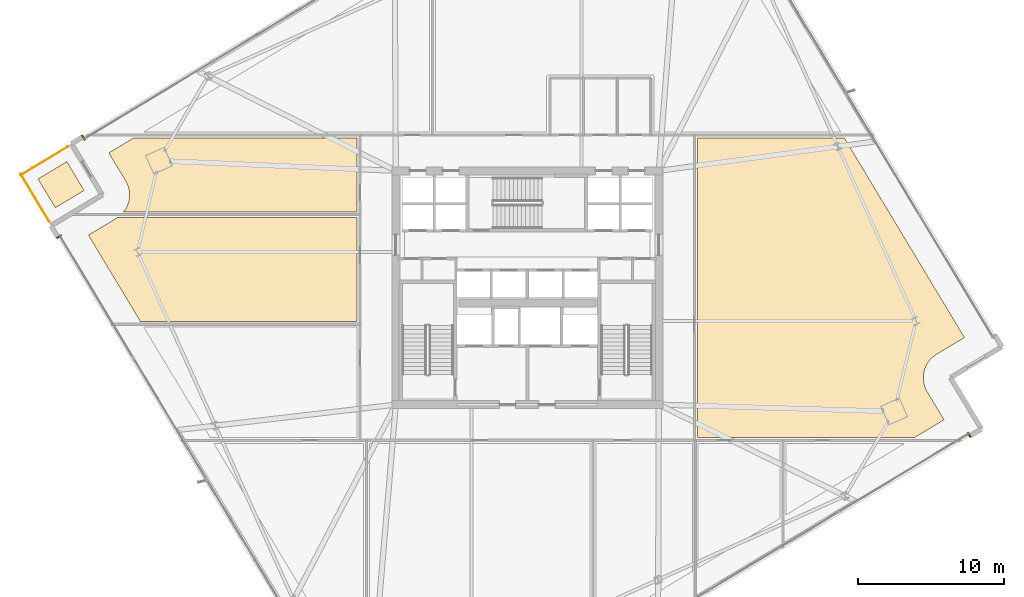
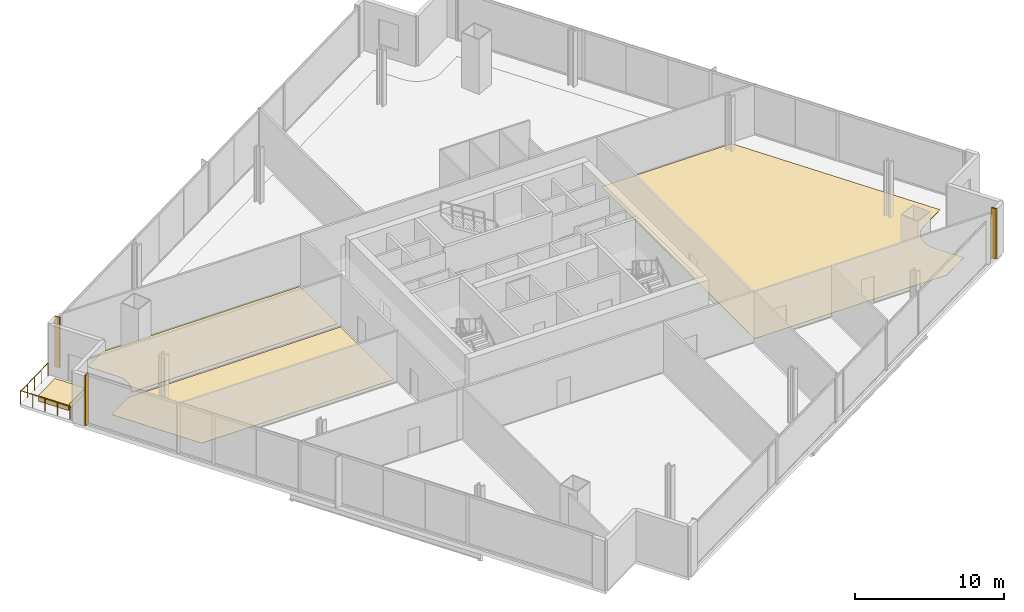
# One storey, part 28 of 30: 7 coverings, 2 railings.
"""IFC4 building model written with IfcOpenShell, lengths in metres."""

from ifc_helpers import new_model, si_unit, direction, frame, origin, origin_2d, place, context, subcontext, project, spatial, polyline, rectangle, outline, extrude, source, transform, mapped, material, layer, layer_set, type_object, element, save


model = new_model("IFC4")

# Units and contexts
model_context = context("Model", 3, precision=1e-05, world=origin(), true_north=direction((0.0, 1.0)))
body_context = subcontext(model_context, "Body", "Model", "MODEL_VIEW")
ifc_project = project(units=[si_unit("LENGTHUNIT", "METRE"), si_unit("AREAUNIT", "SQUARE_METRE"), si_unit("VOLUMEUNIT", "CUBIC_METRE"), si_unit("PLANEANGLEUNIT", "RADIAN"), si_unit("MASSUNIT", "GRAM", prefix="KILO")], contexts=[model_context])

# Site, building, storey
site_placement = place(None, origin())
site = spatial("IfcSite", under=ifc_project, at=site_placement, CompositionType="ELEMENT")
building_placement = place(site_placement, origin())
building = spatial("IfcBuilding", under=site, at=building_placement, Name="Haldenkirk Collegiate Tower", CompositionType="ELEMENT")
storey_placement = place(building_placement, frame((0.0, 0.0, 131.699951171875)))
storey = spatial("IfcBuildingStorey", under=building, at=storey_placement, Name="L32", CompositionType="ELEMENT", Elevation=131.699951171875)

# Coverings
ifc_material_1 = material(Name="Polished collegiate terrazzo", Category="concrete")
ifc_layer_1 = layer(ifc_material_1, 0.02490234375)
ifc_layer_set_1 = layer_set([ifc_layer_1], Name="Polished collegiate terrazzo")
covering_type_1 = type_object("IfcCoveringType", Name="COV-FLOOR-TERRAZZO", PredefinedType="FLOORING", material=ifc_layer_set_1)
covering_1_placement = place(storey_placement, origin())
element("IfcCovering", 1, at=covering_1_placement, inside=storey, type_object=covering_type_1, Name="L32 academic room finish 10", PredefinedType="FLOORING", context=body_context, shape_type="SweptSolid", body=[
    extrude(outline(polyline([(8.374267578125, 31.199951171875), (8.40478515625, 31.237548828125), (8.411865234375, 31.246826171875), (8.5068359375, 31.389892578125), (8.512939453125, 31.400146484375), (8.593505859375, 31.5517578125), (8.598388671875, 31.562255859375), (8.6640625, 31.720947265625), (8.66796875, 31.732177734375), (8.717529296875, 31.896484375), (8.72021484375, 31.907958984375), (8.75341796875, 32.076416015625), (8.755126953125, 32.088134765625), (8.771728515625, 32.25927734375), (8.772216796875, 32.27099609375), (8.77197265625, 32.442626953125), (8.771240234375, 32.454345703125), (8.754150390625, 32.625244140625), (8.75244140625, 32.636962890625), (8.718505859375, 32.805419921875), (8.7158203125, 32.816650390625), (8.66552734375, 32.98095703125), (8.66162109375, 32.991943359375), (8.595458984375, 33.150390625), (8.59033203125, 33.1611328125), (8.50927734375, 33.3125), (8.50634765625, 33.317626953125), (7.356201171875, 35.228271484375), (9.05322265625, 36.25), (24.35009765625, 36.25), (24.35009765625, 31.199951171875), (8.374267578125, 31.199951171875)])), origin(), (0.0, 0.0, 1.0), 0.025146484375),
])
ifc_material_2 = material(Name="Engineered collegiate oak acoustic flooring", Category="wood")
ifc_layer_2 = layer(ifc_material_2, 0.02197265625)
ifc_layer_set_2 = layer_set([ifc_layer_2], Name="Engineered collegiate oak acoustic flooring")
covering_type_2 = type_object("IfcCoveringType", Name="COV-FLOOR-TIMBER", PredefinedType="FLOORING", material=ifc_layer_set_2)
covering_2_placement = place(storey_placement, origin())
element("IfcCovering", 2, at=covering_2_placement, inside=storey, type_object=covering_type_2, Name="L32 academic room finish 09", PredefinedType="FLOORING", context=body_context, shape_type="SweptSolid", body=[
    extrude(outline(polyline([(7.86865234375, 30.7509765625), (7.873779296875, 30.754150390625), (7.94189453125, 30.800048828125), (24.35009765625, 30.800048828125), (24.35009765625, 23.699951171875), (9.510986328125, 23.699951171875), (5.958251953125, 29.600830078125), (7.86865234375, 30.7509765625)])), origin(), (0.0, 0.0, 1.0), 0.02197265625),
])
covering_3_placement = place(storey_placement, origin())
element("IfcCovering", 3, at=covering_3_placement, inside=storey, type_object=covering_type_2, Name="L32 academic room finish 11", PredefinedType="FLOORING", context=body_context, shape_type="SweptSolid", body=[
    extrude(outline(polyline([(64.01513671875, 21.44189453125), (64.01025390625, 21.438720703125), (63.86767578125, 21.343017578125), (63.858154296875, 21.3359375), (63.7255859375, 21.226806640625), (63.716796875, 21.21875), (63.595703125, 21.09716796875), (63.587890625, 21.08837890625), (63.47900390625, 20.955322265625), (63.47216796875, 20.94580078125), (63.376953125, 20.802978515625), (63.370849609375, 20.792724609375), (63.290283203125, 20.64111328125), (63.285400390625, 20.630615234375), (63.219970703125, 20.4716796875), (63.2158203125, 20.460693359375), (63.16650390625, 20.296142578125), (63.16357421875, 20.284912109375), (63.13037109375, 20.1162109375), (63.128662109375, 20.1044921875), (63.1123046875, 19.93359375), (63.111572265625, 19.921875), (63.112060546875, 19.75), (63.112548828125, 19.738525390625), (63.129638671875, 19.567626953125), (63.131591796875, 19.555908203125), (63.165283203125, 19.387451171875), (63.168212890625, 19.376220703125), (63.218505859375, 19.2119140625), (63.222412109375, 19.20068359375), (63.288330078125, 19.042236328125), (63.29345703125, 19.03173828125), (63.374755859375, 18.88037109375), (63.377685546875, 18.875244140625), (64.52783203125, 16.964599609375), (62.51025390625, 15.75), (47.64990234375, 15.75), (47.64990234375, 36.25), (57.702880859375, 36.25), (65.925537109375, 22.591796875), (64.01513671875, 21.44189453125)])), origin(), (0.0, 0.0, 1.0), 0.02197265625),
])
ifc_material_3 = material(Name="Precast concrete f'c 40 MPa", Category="concrete")
ifc_layer_3 = layer(ifc_material_3, 0.449951171875)
ifc_layer_set_3 = layer_set([ifc_layer_3], Name="Precast concrete f'c 40 MPa")
covering_type_3 = type_object("IfcCoveringType", Name="COV-PLANTER-450", PredefinedType="USERDEFINED", material=ifc_layer_set_3)
covering_4_placement = place(storey_placement, origin())
element("IfcCovering", 4, at=covering_4_placement, inside=storey, type_object=covering_type_3, Name="L32 planted garden planter bed", ObjectType="PLANTER", PredefinedType="USERDEFINED", context=body_context, shape_type="SweptSolid", body=[
    extrude(outline(polyline([(3.698486328125, 31.4736328125), (2.51220703125, 33.444091796875), (4.482666015625, 34.63037109375), (5.6689453125, 32.659912109375), (3.698486328125, 31.4736328125)])), origin(), (0.0, 0.0, 1.0), 0.449951171875),
])

# Railings
ifc_material_4 = material(Name="Anodised architectural bronze aluminium", Category="aluminium")
railing_type = type_object("IfcRailingType", Name="RLG-TERR-BALUSTRADE-1100", PredefinedType="BALUSTRADE", material=ifc_material_4)
railing_1_placement = place(storey_placement, frame((4.54638671875, 35.649169921875, 0.0)))
element("IfcRailing", 5, at=railing_1_placement, inside=storey, type_object=railing_type, Name="L32 terrace guard balustrade 3-1", PredefinedType="BALUSTRADE", context=body_context, shape_type="SweptSolid", body=[
    extrude(rectangle(XDim=0.048095703125, YDim=0.048095703125, at=origin_2d()), frame((0.0, 0.0, 1.076171875), z_axis=(-0.856722643398, -0.515777386368, 0.0), x_axis=(0.515777386368, -0.856722643398, 0.0)), (0.0, 0.0, 1.0), 3.780029296875),
    extrude(rectangle(XDim=0.0419921875, YDim=0.0419921875, at=origin_2d()), origin(), (0.0, 0.0, 1.0), 1.052001953125),
    extrude(rectangle(XDim=0.0419921875, YDim=0.0419921875, at=origin_2d()), frame((-0.8095703125, -0.4873046875, 0.0)), (0.0, 0.0, 1.0), 1.052001953125),
    extrude(rectangle(XDim=0.0419921875, YDim=0.0419921875, at=origin_2d()), frame((-1.619140625, -0.974853515625, 0.0)), (0.0, 0.0, 1.0), 1.052001953125),
    extrude(rectangle(XDim=0.0419921875, YDim=0.0419921875, at=origin_2d()), frame((-2.428955078125, -1.46240234375, 0.0)), (0.0, 0.0, 1.0), 1.052001953125),
    extrude(rectangle(XDim=0.0419921875, YDim=0.0419921875, at=origin_2d()), frame((-3.238525390625, -1.94970703125, 0.0)), (0.0, 0.0, 1.0), 1.052001953125),
])
railing_2_placement = place(storey_placement, frame((1.328369140625, 33.78173828125, 0.0)))
element("IfcRailing", 6, at=railing_2_placement, inside=storey, type_object=railing_type, Name="L32 terrace guard balustrade 4-1", PredefinedType="BALUSTRADE", context=body_context, shape_type="SweptSolid", body=[
    extrude(rectangle(XDim=0.048095703125, YDim=0.048095703125, at=origin_2d()), frame((0.0, 0.0, 1.076171875), z_axis=(0.51580592645, -0.85670546061, 0.0), x_axis=(0.85670546061, 0.51580592645, 0.0)), (0.0, 0.0, 1.0), 3.780029296875),
    extrude(rectangle(XDim=0.0419921875, YDim=0.0419921875, at=origin_2d()), origin(), (0.0, 0.0, 1.0), 1.052001953125),
    extrude(rectangle(XDim=0.0419921875, YDim=0.0419921875, at=origin_2d()), frame((0.4873046875, -0.8095703125, 0.0)), (0.0, 0.0, 1.0), 1.052001953125),
    extrude(rectangle(XDim=0.0419921875, YDim=0.0419921875, at=origin_2d()), frame((0.974853515625, -1.619140625, 0.0)), (0.0, 0.0, 1.0), 1.052001953125),
    extrude(rectangle(XDim=0.0419921875, YDim=0.0419921875, at=origin_2d()), frame((1.46240234375, -2.4287109375, 0.0)), (0.0, 0.0, 1.0), 1.052001953125),
    extrude(rectangle(XDim=0.0419921875, YDim=0.0419921875, at=origin_2d()), frame((1.94970703125, -3.23828125, 0.0)), (0.0, 0.0, 1.0), 1.052001953125),
])

# Coverings
ifc_layer_4 = layer(ifc_material_4, 0.06005859375)
ifc_layer_set_4 = layer_set([ifc_layer_4], Name="Anodised architectural bronze aluminium")
covering_type_4 = type_object("IfcCoveringType", Name="COV-CLAD-BRONZE-60", PredefinedType="CLADDING", material=ifc_layer_set_4)
shared_shape = source(origin(), body_context, "Body", "SweptSolid", [
    extrude(rectangle(XDim=0.10009765625, YDim=0.3798828125, at=origin_2d()), origin(), (0.0, 0.0, 1.0), 4.10009765625),
])
for number, where, z_axis, x_axis, name in (
    (7, (66.251220703125, 15.924560546875, 0.0), (0.0, 0.0, 1.0), (-0.856717518865, -0.515785898285, 0.0), "L32 recessed curtain-wall bronze jamb closure SJL"),
    (8, (5.632568359375, 36.268310546875, 0.0), (0.0, 0.0, 1.0), (0.856717518865, 0.515785898285, 0.0), "L32 recessed curtain-wall bronze jamb closure NJL"),
    (9, (3.948486328125, 29.488037109375, 0.0), (0.0, 0.0, 1.0), (-0.515785898285, 0.856717518865, 0.0), "L32 recessed curtain-wall bronze jamb closure WJR"),
):
    element("IfcCovering", number, at=place(storey_placement, frame(where, z_axis=z_axis, x_axis=x_axis)), inside=storey, type_object=covering_type_4, Name=name, PredefinedType="CLADDING", context=body_context, shape_type="MappedRepresentation", body=[
        mapped(shared_shape, transform((0.0, 0.0, 0.0), x_axis=(1.0, 0.0, 0.0), y_axis=(0.0, 1.0, 0.0), z_axis=(0.0, 0.0, 1.0), scale=1.0)),
    ])

save(model, "model.ifc")
